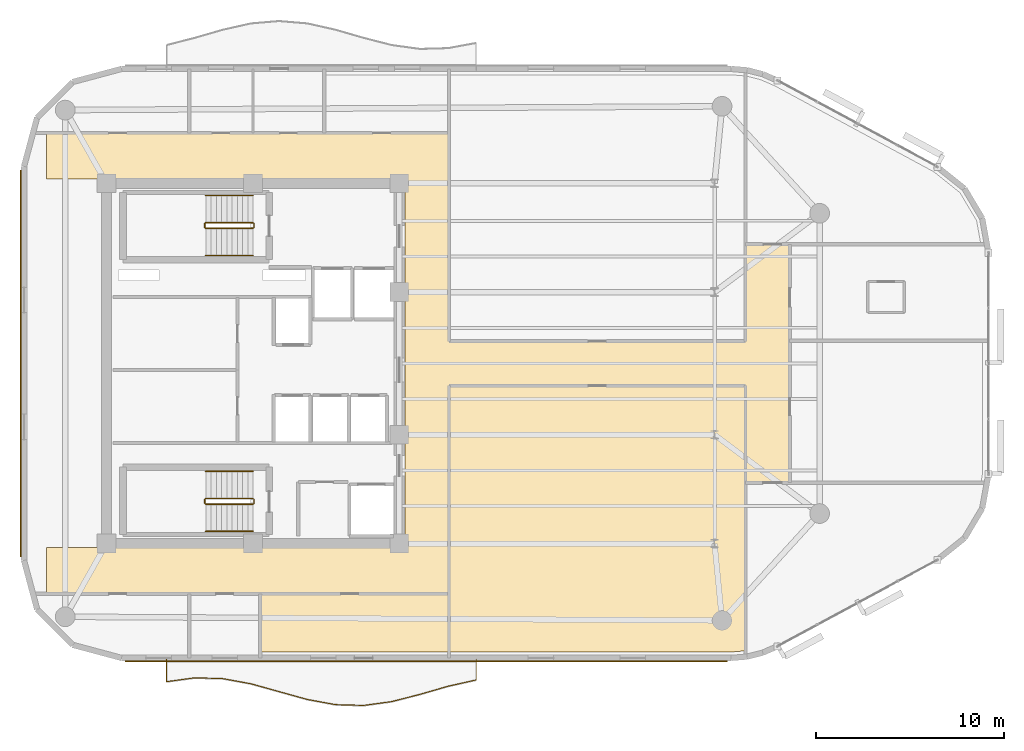
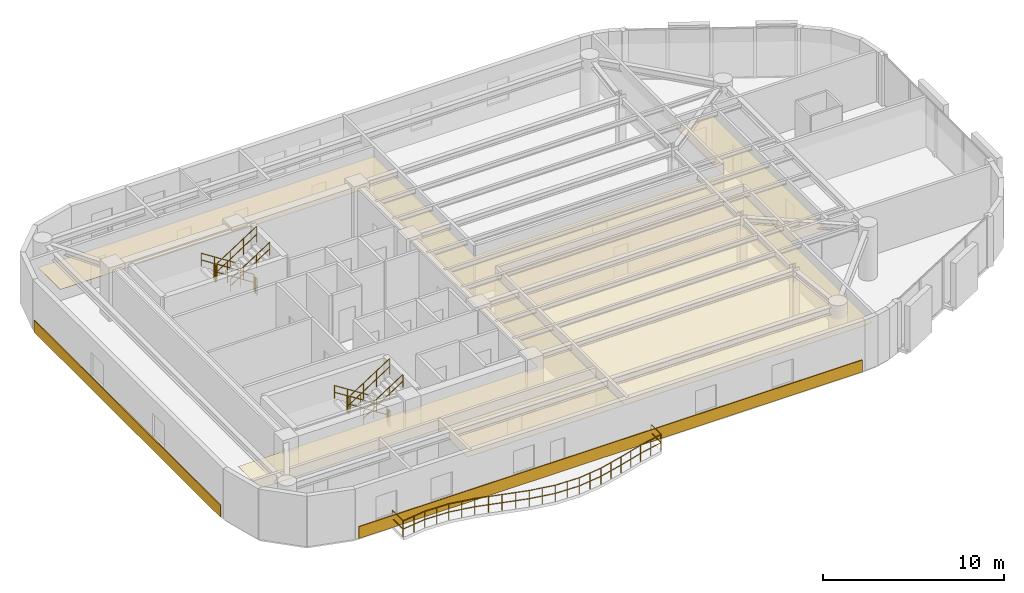
# One storey, part 12 of 13: 13 railings, 5 coverings.
"""IFC4 building model written with IfcOpenShell, lengths in metres."""

from ifc_helpers import new_model, si_unit, direction, frame, origin, origin_2d, place, context, subcontext, project, spatial, polyline, rectangle, circle, outline, extrude, material, layer, layer_set, type_object, element, save


model = new_model("IFC4")

# Units and contexts
model_context = context("Model", 3, precision=1e-05, world=origin(), true_north=direction((0.0, 1.0)))
body_context = subcontext(model_context, "Body", "Model", "MODEL_VIEW")
ifc_project = project(units=[si_unit("LENGTHUNIT", "METRE"), si_unit("AREAUNIT", "SQUARE_METRE"), si_unit("VOLUMEUNIT", "CUBIC_METRE"), si_unit("PLANEANGLEUNIT", "RADIAN"), si_unit("MASSUNIT", "GRAM", prefix="KILO")], contexts=[model_context])

# Site, building, storey
site_placement = place(None, origin())
site = spatial("IfcSite", under=ifc_project, at=site_placement, CompositionType="ELEMENT")
building_placement = place(site_placement, origin())
building = spatial("IfcBuilding", under=site, at=building_placement, Name="An Khanh Terracotta Commons", CompositionType="ELEMENT")
storey_placement = place(building_placement, frame((0.0, 0.0, 226.5)))
storey = spatial("IfcBuildingStorey", under=building, at=storey_placement, Name="L59", CompositionType="ELEMENT", Elevation=226.5)

# Coverings
ifc_material_1 = material(Name="Perforated Mineral-Fibre Acoustic Tile")
ifc_layer_1 = layer(ifc_material_1, 0.02001953125, Name="Perforated Mineral-Fibre Acoustic Tile")
ifc_layer_set_1 = layer_set([ifc_layer_1], Name="Perforated Mineral-Fibre Acoustic Tile")
covering_type_1 = type_object("IfcCoveringType", Name="CEIL-ACOUSTIC-18", PredefinedType="CEILING", material=ifc_layer_set_1)
covering_1_placement = place(storey_placement, frame((0.0, 0.0, 2.64990234375)))
element("IfcCovering", 1, at=covering_1_placement, inside=storey, type_object=covering_type_1, Name="L59 Corridor Ceiling", PredefinedType="CEILING", context=body_context, shape_type="SweptSolid", body=[
    extrude(outline(polyline([(18.39990234375, 11.719970703125), (18.39990234375, 14.179931640625), (37.5, 14.179931640625), (37.5, 33.820068359375), (18.39990234375, 33.820068359375), (18.39990234375, 36.280029296875), (37.5, 36.280029296875), (39.85009765625, 36.280029296875), (39.85009765625, 33.820068359375), (39.85009765625, 25.179931640625), (55.64990234375, 25.179931640625), (55.64990234375, 30.35009765625), (58.0, 30.35009765625), (58.0, 25.179931640625), (58.0, 22.820068359375), (58.0, 17.64990234375), (55.64990234375, 17.64990234375), (55.64990234375, 22.820068359375), (39.85009765625, 22.820068359375), (39.85009765625, 14.179931640625), (39.85009765625, 11.719970703125), (37.5, 11.719970703125), (18.39990234375, 11.719970703125)])), origin(), (0.0, 0.0, 1.0), 0.02001953125),
])
covering_2_placement = place(storey_placement, frame((0.0, 0.0, 2.64990234375)))
element("IfcCovering", 2, at=covering_2_placement, inside=storey, type_object=covering_type_1, Name="L59 Riverfront Reading Hall Ceiling", PredefinedType="CEILING", context=body_context, shape_type="SweptSolid", body=[
    extrude(outline(polyline([(54.8720703125, 8.6201171875), (39.85009765625, 8.6201171875), (39.85009765625, 11.719970703125), (39.85009765625, 14.179931640625), (39.85009765625, 22.820068359375), (55.64990234375, 22.820068359375), (55.64990234375, 17.64990234375), (55.64990234375, 8.68505859375), (54.8720703125, 8.6201171875)])), origin(), (0.0, 0.0, 1.0), 0.02001953125),
])
covering_3_placement = place(storey_placement, frame((0.0, 0.0, 2.64990234375)))
element("IfcCovering", 3, at=covering_3_placement, inside=storey, type_object=covering_type_1, Name="L59 Academic Seminar Room Ceiling", PredefinedType="CEILING", context=body_context, shape_type="SweptSolid", body=[
    extrude(outline(polyline([(29.800048828125, 8.6201171875), (29.800048828125, 8.64990234375), (29.800048828125, 11.719970703125), (37.5, 11.719970703125), (39.85009765625, 11.719970703125), (39.85009765625, 8.6201171875), (29.800048828125, 8.6201171875)])), origin(), (0.0, 0.0, 1.0), 0.02001953125),
])
ifc_material_2 = material(Name="Fired Terracotta Rainscreen Cladding", Category="masonry")
ifc_layer_2 = layer(ifc_material_2, 0.06005859375, Name="Fired Terracotta Rainscreen Cladding")
ifc_layer_set_2 = layer_set([ifc_layer_2], Name="Fired Terracotta Rainscreen Cladding")
covering_type_2 = type_object("IfcCoveringType", Name="COV-SPANDREL-TERRA", PredefinedType="CLADDING", material=ifc_layer_set_2)
covering_4_placement = place(storey_placement, frame((38.64208984375, 8.1201171875, 0.02001953125), z_axis=(0.0, 0.0, 1.0), x_axis=(1.0, 0.0, 0.0)))
element("IfcCovering", 4, at=covering_4_placement, inside=storey, type_object=covering_type_2, Name="L59 Terracotta Spandrel Cladding 4", PredefinedType="CLADDING", context=body_context, shape_type="SweptSolid", body=[
    extrude(rectangle(XDim=32.0849609375, YDim=0.06005859375, at=origin_2d()), origin(), (0.0, 0.0, 1.0), 0.800048828125),
])
covering_5_placement = place(storey_placement, frame((17.02001953125, 24.0, 0.02001953125), z_axis=(0.0, 0.0, 1.0), x_axis=(0.0, -1.0, 0.0)))
element("IfcCovering", 5, at=covering_5_placement, inside=storey, type_object=covering_type_2, Name="L59 Terracotta Spandrel Cladding 24", PredefinedType="CLADDING", context=body_context, shape_type="SweptSolid", body=[
    extrude(rectangle(XDim=20.60009765625, YDim=0.06005859375, at=origin_2d()), origin(), (0.0, 0.0, 1.0), 0.800048828125),
])

# Railings
ifc_material_3 = material(Name="Brushed Stainless Steel 316", Category="steel")
railing_type_1 = type_object("IfcRailingType", Name="RAIL-BALUSTRADE-1100", PredefinedType="BALUSTRADE", material=ifc_material_3)
railing_1_placement = place(storey_placement, frame((24.800048828125, 8.239990234375, 0.0)))
element("IfcRailing", 6, at=railing_1_placement, inside=storey, type_object=railing_type_1, Name="L59 S Wave Balcony Guard Balustrade", PredefinedType="BALUSTRADE", context=body_context, shape_type="SweptSolid", body=[
    extrude(circle(Radius=0.02392578125, at=origin_2d()), frame((0.0, 0.0, 1.076171875), z_axis=(0.0, -1.0, 0.0), x_axis=(1.0, 0.0, 0.0)), (0.0, 0.0, 1.0), 1.199951171875),
    extrude(circle(Radius=0.02392578125, at=origin_2d()), frame((0.0, 0.0, 0.52587890625), z_axis=(0.0, -1.0, 0.0), x_axis=(1.0, 0.0, 0.0)), (0.0, 0.0, 1.0), 1.199951171875),
    extrude(circle(Radius=0.02392578125, at=origin_2d()), frame((0.0, -1.199951171875, 1.076171875), z_axis=(0.990696239711, 0.136091736054, 0.0), x_axis=(-0.136091736054, 0.990696239711, 0.0)), (0.0, 0.0, 1.0), 1.51416015625),
    extrude(circle(Radius=0.02392578125, at=origin_2d()), frame((0.0, -1.199951171875, 0.52587890625), z_axis=(0.990696239711, 0.136091736054, 0.0), x_axis=(-0.136091736054, 0.990696239711, 0.0)), (0.0, 0.0, 1.0), 1.51416015625),
    extrude(circle(Radius=0.02392578125, at=origin_2d()), frame((1.5, -0.993896484375, 1.076171875), z_axis=(0.999585290582, -0.028796646555, 0.0), x_axis=(0.028796646555, 0.999585290582, 0.0)), (0.0, 0.0, 1.0), 1.500732421875),
    extrude(circle(Radius=0.02392578125, at=origin_2d()), frame((1.5, -0.993896484375, 0.52587890625), z_axis=(0.999585290582, -0.028796646555, 0.0), x_axis=(0.028796646555, 0.999585290582, 0.0)), (0.0, 0.0, 1.0), 1.500732421875),
    extrude(circle(Radius=0.02392578125, at=origin_2d()), frame((3.0, -1.037109375, 1.076171875), z_axis=(0.983504185039, -0.180885372574, 0.0), x_axis=(0.180885372574, 0.983504185039, 0.0)), (0.0, 0.0, 1.0), 1.525146484375),
    extrude(circle(Radius=0.02392578125, at=origin_2d()), frame((3.0, -1.037109375, 0.52587890625), z_axis=(0.983504185039, -0.180885372574, 0.0), x_axis=(0.180885372574, 0.983504185039, 0.0)), (0.0, 0.0, 1.0), 1.525146484375),
    extrude(circle(Radius=0.02392578125, at=origin_2d()), frame((4.5, -1.31298828125, 1.076171875), z_axis=(0.963463971294, -0.267837965978, 0.0), x_axis=(0.267837965978, 0.963463971294, 0.0)), (0.0, 0.0, 1.0), 1.556884765625),
    extrude(circle(Radius=0.02392578125, at=origin_2d()), frame((4.5, -1.31298828125, 0.52587890625), z_axis=(0.963463971294, -0.267837965978, 0.0), x_axis=(0.267837965978, 0.963463971294, 0.0)), (0.0, 0.0, 1.0), 1.556884765625),
    extrude(circle(Radius=0.02392578125, at=origin_2d()), frame((6.0, -1.72998046875, 1.076171875), z_axis=(0.963463971294, -0.267837965978, 0.0), x_axis=(0.267837965978, 0.963463971294, 0.0)), (0.0, 0.0, 1.0), 1.556884765625),
    extrude(circle(Radius=0.02392578125, at=origin_2d()), frame((6.0, -1.72998046875, 0.52587890625), z_axis=(0.963463971294, -0.267837965978, 0.0), x_axis=(0.267837965978, 0.963463971294, 0.0)), (0.0, 0.0, 1.0), 1.556884765625),
    extrude(circle(Radius=0.02392578125, at=origin_2d()), frame((7.5, -2.14697265625, 1.076171875), z_axis=(0.983475695992, -0.181040203803, 0.0), x_axis=(0.181040203803, 0.983475695992, 0.0)), (0.0, 0.0, 1.0), 1.525146484375),
    extrude(circle(Radius=0.02392578125, at=origin_2d()), frame((7.5, -2.14697265625, 0.52587890625), z_axis=(0.983475695992, -0.181040203803, 0.0), x_axis=(0.181040203803, 0.983475695992, 0.0)), (0.0, 0.0, 1.0), 1.525146484375),
    extrude(circle(Radius=0.02392578125, at=origin_2d()), frame((9.0, -2.423095703125, 1.076171875), z_axis=(0.999589960453, -0.028634087409, 0.0), x_axis=(0.028634087409, 0.999589960453, 0.0)), (0.0, 0.0, 1.0), 1.500732421875),
    extrude(circle(Radius=0.02392578125, at=origin_2d()), frame((9.0, -2.423095703125, 0.52587890625), z_axis=(0.999589960453, -0.028634087409, 0.0), x_axis=(0.028634087409, 0.999589960453, 0.0)), (0.0, 0.0, 1.0), 1.500732421875),
    extrude(circle(Radius=0.02392578125, at=origin_2d()), frame((10.5, -2.466064453125, 1.076171875), z_axis=(0.990696239711, 0.136091736054, 0.0), x_axis=(-0.136091736054, 0.990696239711, 0.0)), (0.0, 0.0, 1.0), 1.51416015625),
    extrude(circle(Radius=0.02392578125, at=origin_2d()), frame((10.5, -2.466064453125, 0.52587890625), z_axis=(0.990696239711, 0.136091736054, 0.0), x_axis=(-0.136091736054, 0.990696239711, 0.0)), (0.0, 0.0, 1.0), 1.51416015625),
    extrude(circle(Radius=0.02392578125, at=origin_2d()), frame((12.0, -2.260009765625, 1.076171875), z_axis=(0.968754262999, 0.248022535107, 0.0), x_axis=(-0.248022535107, 0.968754262999, 0.0)), (0.0, 0.0, 1.0), 1.54833984375),
    extrude(circle(Radius=0.02392578125, at=origin_2d()), frame((12.0, -2.260009765625, 0.52587890625), z_axis=(0.968754262999, 0.248022535107, 0.0), x_axis=(-0.248022535107, 0.968754262999, 0.0)), (0.0, 0.0, 1.0), 1.54833984375),
    extrude(circle(Radius=0.02392578125, at=origin_2d()), frame((13.5, -1.8759765625, 1.076171875), z_axis=(0.960753088359, 0.277404944458, 0.0), x_axis=(-0.277404944458, 0.960753088359, 0.0)), (0.0, 0.0, 1.0), 1.561279296875),
    extrude(circle(Radius=0.02392578125, at=origin_2d()), frame((13.5, -1.8759765625, 0.52587890625), z_axis=(0.960753088359, 0.277404944458, 0.0), x_axis=(-0.277404944458, 0.960753088359, 0.0)), (0.0, 0.0, 1.0), 1.561279296875),
    extrude(circle(Radius=0.02392578125, at=origin_2d()), frame((15.0, -1.44287109375, 1.076171875), z_axis=(0.975691310659, 0.21914941548, 0.0), x_axis=(-0.21914941548, 0.975691310659, 0.0)), (0.0, 0.0, 1.0), 1.537353515625),
    extrude(circle(Radius=0.02392578125, at=origin_2d()), frame((15.0, -1.44287109375, 0.52587890625), z_axis=(0.975691310659, 0.21914941548, 0.0), x_axis=(-0.21914941548, 0.975691310659, 0.0)), (0.0, 0.0, 1.0), 1.537353515625),
    extrude(circle(Radius=0.02392578125, at=origin_2d()), frame((16.5, -1.10595703125, 1.076171875), z_axis=(0.0, 1.0, 0.0), x_axis=(-1.0, 0.0, 0.0)), (0.0, 0.0, 1.0), 1.10595703125),
    extrude(circle(Radius=0.02392578125, at=origin_2d()), frame((16.5, -1.10595703125, 0.52587890625), z_axis=(0.0, 1.0, 0.0), x_axis=(-1.0, 0.0, 0.0)), (0.0, 0.0, 1.0), 1.10595703125),
    extrude(circle(Radius=0.02099609375, at=origin_2d()), origin(), (0.0, 0.0, 1.0), 1.052001953125),
    extrude(circle(Radius=0.02099609375, at=origin_2d()), frame((0.0, -1.199951171875, 0.0)), (0.0, 0.0, 1.0), 1.052001953125),
    extrude(circle(Radius=0.02099609375, at=origin_2d()), frame((0.75, -1.096923828125, 0.0)), (0.0, 0.0, 1.0), 1.052001953125),
    extrude(circle(Radius=0.02099609375, at=origin_2d()), frame((1.5, -0.993896484375, 0.0)), (0.0, 0.0, 1.0), 1.052001953125),
    extrude(circle(Radius=0.02099609375, at=origin_2d()), frame((2.25, -1.015625, 0.0)), (0.0, 0.0, 1.0), 1.052001953125),
    extrude(circle(Radius=0.02099609375, at=origin_2d()), frame((3.0, -1.037109375, 0.0)), (0.0, 0.0, 1.0), 1.052001953125),
    extrude(circle(Radius=0.02099609375, at=origin_2d()), frame((3.75, -1.175048828125, 0.0)), (0.0, 0.0, 1.0), 1.052001953125),
    extrude(circle(Radius=0.02099609375, at=origin_2d()), frame((4.5, -1.31298828125, 0.0)), (0.0, 0.0, 1.0), 1.052001953125),
    extrude(circle(Radius=0.02099609375, at=origin_2d()), frame((5.25, -1.521484375, 0.0)), (0.0, 0.0, 1.0), 1.052001953125),
    extrude(circle(Radius=0.02099609375, at=origin_2d()), frame((6.0, -1.72998046875, 0.0)), (0.0, 0.0, 1.0), 1.052001953125),
    extrude(circle(Radius=0.02099609375, at=origin_2d()), frame((6.75, -1.9384765625, 0.0)), (0.0, 0.0, 1.0), 1.052001953125),
    extrude(circle(Radius=0.02099609375, at=origin_2d()), frame((7.5, -2.14697265625, 0.0)), (0.0, 0.0, 1.0), 1.052001953125),
    extrude(circle(Radius=0.02099609375, at=origin_2d()), frame((8.25, -2.28515625, 0.0)), (0.0, 0.0, 1.0), 1.052001953125),
    extrude(circle(Radius=0.02099609375, at=origin_2d()), frame((9.0, -2.423095703125, 0.0)), (0.0, 0.0, 1.0), 1.052001953125),
    extrude(circle(Radius=0.02099609375, at=origin_2d()), frame((9.75, -2.444580078125, 0.0)), (0.0, 0.0, 1.0), 1.052001953125),
    extrude(circle(Radius=0.02099609375, at=origin_2d()), frame((10.5, -2.466064453125, 0.0)), (0.0, 0.0, 1.0), 1.052001953125),
    extrude(circle(Radius=0.02099609375, at=origin_2d()), frame((11.25, -2.363037109375, 0.0)), (0.0, 0.0, 1.0), 1.052001953125),
    extrude(circle(Radius=0.02099609375, at=origin_2d()), frame((12.0, -2.260009765625, 0.0)), (0.0, 0.0, 1.0), 1.052001953125),
    extrude(circle(Radius=0.02099609375, at=origin_2d()), frame((12.75, -2.06787109375, 0.0)), (0.0, 0.0, 1.0), 1.052001953125),
    extrude(circle(Radius=0.02099609375, at=origin_2d()), frame((13.5, -1.8759765625, 0.0)), (0.0, 0.0, 1.0), 1.052001953125),
    extrude(circle(Radius=0.02099609375, at=origin_2d()), frame((14.25, -1.659423828125, 0.0)), (0.0, 0.0, 1.0), 1.052001953125),
    extrude(circle(Radius=0.02099609375, at=origin_2d()), frame((15.0, -1.44287109375, 0.0)), (0.0, 0.0, 1.0), 1.052001953125),
    extrude(circle(Radius=0.02099609375, at=origin_2d()), frame((15.75, -1.2744140625, 0.0)), (0.0, 0.0, 1.0), 1.052001953125),
    extrude(circle(Radius=0.02099609375, at=origin_2d()), frame((16.5, -1.10595703125, 0.0)), (0.0, 0.0, 1.0), 1.052001953125),
    extrude(circle(Radius=0.02099609375, at=origin_2d()), frame((16.5, 0.0, 0.0)), (0.0, 0.0, 1.0), 1.052001953125),
])
railing_type_2 = type_object("IfcRailingType", Name="RAIL-HANDRAIL-900", PredefinedType="HANDRAIL", material=ifc_material_3)
railing_2_placement = place(storey_placement, frame((29.409912109375, 32.949951171875, 0.179931640625)))
element("IfcRailing", 7, at=railing_2_placement, inside=storey, type_object=railing_type_2, Name="L59 ST-01 stair handrail 1", PredefinedType="HANDRAIL", context=body_context, shape_type="SweptSolid", body=[
    extrude(circle(Radius=0.02392578125, at=origin_2d()), frame((0.0, 0.0, 0.8759765625), z_axis=(-0.841162588446, 0.0, 0.540782303519), x_axis=(0.0, -1.0, 0.0)), (0.0, 0.0, 1.0), 2.995849609375),
    extrude(circle(Radius=0.02392578125, at=origin_2d()), frame((0.0, 0.0, 0.42578125), z_axis=(-0.841162588446, 0.0, 0.540782303519), x_axis=(0.0, -1.0, 0.0)), (0.0, 0.0, 1.0), 2.995849609375),
    extrude(circle(Radius=0.02099609375, at=origin_2d()), origin(), (0.0, 0.0, 1.0), 0.851806640625),
    extrude(circle(Radius=0.02099609375, at=origin_2d()), frame((-0.840087890625, 0.0, 0.5400390625)), (0.0, 0.0, 1.0), 0.851806640625),
    extrude(circle(Radius=0.02099609375, at=origin_2d()), frame((-1.679931640625, 0.0, 1.080078125)), (0.0, 0.0, 1.0), 0.851806640625),
    extrude(circle(Radius=0.02099609375, at=origin_2d()), frame((-2.52001953125, 0.0, 1.6201171875)), (0.0, 0.0, 1.0), 0.851806640625),
])
railing_3_placement = place(storey_placement, frame((26.889892578125, 29.75, 1.97998046875)))
element("IfcRailing", 8, at=railing_3_placement, inside=storey, type_object=railing_type_2, Name="L59 ST-01 stair handrail 2", PredefinedType="HANDRAIL", context=body_context, shape_type="SweptSolid", body=[
    extrude(circle(Radius=0.02392578125, at=origin_2d()), frame((0.0, 0.0, 0.8759765625), z_axis=(0.841162588446, 0.0, 0.540782303519), x_axis=(0.0, 1.0, 0.0)), (0.0, 0.0, 1.0), 2.995849609375),
    extrude(circle(Radius=0.02392578125, at=origin_2d()), frame((0.0, 0.0, 0.42578125), z_axis=(0.841162588446, 0.0, 0.540782303519), x_axis=(0.0, 1.0, 0.0)), (0.0, 0.0, 1.0), 2.995849609375),
    extrude(circle(Radius=0.02099609375, at=origin_2d()), origin(), (0.0, 0.0, 1.0), 0.851806640625),
    extrude(circle(Radius=0.02099609375, at=origin_2d()), frame((0.840087890625, 0.0, 0.5400390625)), (0.0, 0.0, 1.0), 0.851806640625),
    extrude(circle(Radius=0.02099609375, at=origin_2d()), frame((1.679931640625, 0.0, 1.080078125)), (0.0, 0.0, 1.0), 0.851806640625),
    extrude(circle(Radius=0.02099609375, at=origin_2d()), frame((2.52001953125, 0.0, 1.6201171875)), (0.0, 0.0, 1.0), 0.851806640625),
])
railing_4_placement = place(storey_placement, frame((29.409912109375, 18.25, 0.179931640625)))
element("IfcRailing", 9, at=railing_4_placement, inside=storey, type_object=railing_type_2, Name="L59 ST-02 stair handrail 1", PredefinedType="HANDRAIL", context=body_context, shape_type="SweptSolid", body=[
    extrude(circle(Radius=0.02392578125, at=origin_2d()), frame((0.0, 0.0, 0.8759765625), z_axis=(-0.841162588446, 0.0, 0.540782303519), x_axis=(0.0, -1.0, 0.0)), (0.0, 0.0, 1.0), 2.995849609375),
    extrude(circle(Radius=0.02392578125, at=origin_2d()), frame((0.0, 0.0, 0.42578125), z_axis=(-0.841162588446, 0.0, 0.540782303519), x_axis=(0.0, -1.0, 0.0)), (0.0, 0.0, 1.0), 2.995849609375),
    extrude(circle(Radius=0.02099609375, at=origin_2d()), origin(), (0.0, 0.0, 1.0), 0.851806640625),
    extrude(circle(Radius=0.02099609375, at=origin_2d()), frame((-0.840087890625, 0.0, 0.5400390625)), (0.0, 0.0, 1.0), 0.851806640625),
    extrude(circle(Radius=0.02099609375, at=origin_2d()), frame((-1.679931640625, 0.0, 1.080078125)), (0.0, 0.0, 1.0), 0.851806640625),
    extrude(circle(Radius=0.02099609375, at=origin_2d()), frame((-2.52001953125, 0.0, 1.6201171875)), (0.0, 0.0, 1.0), 0.851806640625),
])
railing_5_placement = place(storey_placement, frame((26.889892578125, 15.050048828125, 1.97998046875)))
element("IfcRailing", 10, at=railing_5_placement, inside=storey, type_object=railing_type_2, Name="L59 ST-02 stair handrail 2", PredefinedType="HANDRAIL", context=body_context, shape_type="SweptSolid", body=[
    extrude(circle(Radius=0.02392578125, at=origin_2d()), frame((0.0, 0.0, 0.8759765625), z_axis=(0.841162588446, 0.0, 0.540782303519), x_axis=(0.0, 1.0, 0.0)), (0.0, 0.0, 1.0), 2.995849609375),
    extrude(circle(Radius=0.02392578125, at=origin_2d()), frame((0.0, 0.0, 0.42578125), z_axis=(0.841162588446, 0.0, 0.540782303519), x_axis=(0.0, 1.0, 0.0)), (0.0, 0.0, 1.0), 2.995849609375),
    extrude(circle(Radius=0.02099609375, at=origin_2d()), origin(), (0.0, 0.0, 1.0), 0.851806640625),
    extrude(circle(Radius=0.02099609375, at=origin_2d()), frame((0.840087890625, 0.0, 0.5400390625)), (0.0, 0.0, 1.0), 0.851806640625),
    extrude(circle(Radius=0.02099609375, at=origin_2d()), frame((1.679931640625, 0.0, 1.080078125)), (0.0, 0.0, 1.0), 0.851806640625),
    extrude(circle(Radius=0.02099609375, at=origin_2d()), frame((2.52001953125, 0.0, 1.6201171875)), (0.0, 0.0, 1.0), 0.851806640625),
])
ifc_material_4 = material(Name="Powder-Coated Steel S355J2", Category="steel")
railing_type_3 = type_object("IfcRailingType", Name="RAIL-STAIR-GUARD-1100", PredefinedType="BALUSTRADE", material=ifc_material_4)
railing_6_placement = place(storey_placement, frame((29.409912109375, 31.5, 0.179931640625)))
element("IfcRailing", 11, at=railing_6_placement, inside=storey, type_object=railing_type_3, Name="L59 ST-01 stair guard 1", PredefinedType="BALUSTRADE", context=body_context, shape_type="SweptSolid", body=[
    extrude(circle(Radius=0.02392578125, at=origin_2d()), frame((0.0, 0.0, 1.076171875), z_axis=(-0.841162588446, 0.0, 0.540782303519), x_axis=(0.0, -1.0, 0.0)), (0.0, 0.0, 1.0), 2.995849609375),
    extrude(circle(Radius=0.02392578125, at=origin_2d()), frame((0.0, 0.0, 0.52587890625), z_axis=(-0.841162588446, 0.0, 0.540782303519), x_axis=(0.0, -1.0, 0.0)), (0.0, 0.0, 1.0), 2.995849609375),
    extrude(circle(Radius=0.02099609375, at=origin_2d()), origin(), (0.0, 0.0, 1.0), 1.052001953125),
    extrude(circle(Radius=0.02099609375, at=origin_2d()), frame((-0.840087890625, 0.0, 0.5400390625)), (0.0, 0.0, 1.0), 1.052001953125),
    extrude(circle(Radius=0.02099609375, at=origin_2d()), frame((-1.679931640625, 0.0, 1.080078125)), (0.0, 0.0, 1.0), 1.052001953125),
    extrude(circle(Radius=0.02099609375, at=origin_2d()), frame((-2.52001953125, 0.0, 1.6201171875)), (0.0, 0.0, 1.0), 1.052001953125),
])
railing_7_placement = place(storey_placement, frame((26.840087890625, 31.449951171875, 1.800048828125)))
element("IfcRailing", 12, at=railing_7_placement, inside=storey, type_object=railing_type_3, Name="L59 ST-01 stair guard 2", PredefinedType="BALUSTRADE", context=body_context, shape_type="SweptSolid", body=[
    extrude(circle(Radius=0.02392578125, at=origin_2d()), frame((0.0, 0.0, 1.076171875), z_axis=(0.0, -1.0, 0.0), x_axis=(1.0, 0.0, 0.0)), (0.0, 0.0, 1.0), 0.199951171875),
    extrude(circle(Radius=0.02392578125, at=origin_2d()), frame((0.0, 0.0, 0.52587890625), z_axis=(0.0, -1.0, 0.0), x_axis=(1.0, 0.0, 0.0)), (0.0, 0.0, 1.0), 0.199951171875),
    extrude(circle(Radius=0.02099609375, at=origin_2d()), origin(), (0.0, 0.0, 1.0), 1.052001953125),
    extrude(circle(Radius=0.02099609375, at=origin_2d()), frame((0.0, -0.199951171875, 0.0)), (0.0, 0.0, 1.0), 1.052001953125),
])
railing_8_placement = place(storey_placement, frame((26.889892578125, 31.199951171875, 1.97998046875)))
element("IfcRailing", 13, at=railing_8_placement, inside=storey, type_object=railing_type_3, Name="L59 ST-01 stair guard 3", PredefinedType="BALUSTRADE", context=body_context, shape_type="SweptSolid", body=[
    extrude(circle(Radius=0.02392578125, at=origin_2d()), frame((0.0, 0.0, 1.076171875), z_axis=(0.841162588446, 0.0, 0.540782303519), x_axis=(0.0, 1.0, 0.0)), (0.0, 0.0, 1.0), 2.995849609375),
    extrude(circle(Radius=0.02392578125, at=origin_2d()), frame((0.0, 0.0, 0.52587890625), z_axis=(0.841162588446, 0.0, 0.540782303519), x_axis=(0.0, 1.0, 0.0)), (0.0, 0.0, 1.0), 2.995849609375),
    extrude(circle(Radius=0.02099609375, at=origin_2d()), origin(), (0.0, 0.0, 1.0), 1.052001953125),
    extrude(circle(Radius=0.02099609375, at=origin_2d()), frame((0.840087890625, 0.0, 0.5400390625)), (0.0, 0.0, 1.0), 1.052001953125),
    extrude(circle(Radius=0.02099609375, at=origin_2d()), frame((1.679931640625, 0.0, 1.080078125)), (0.0, 0.0, 1.0), 1.052001953125),
    extrude(circle(Radius=0.02099609375, at=origin_2d()), frame((2.52001953125, 0.0, 1.6201171875)), (0.0, 0.0, 1.0), 1.052001953125),
])
railing_9_placement = place(storey_placement, frame((29.4599609375, 31.449951171875, 0.0)))
element("IfcRailing", 14, at=railing_9_placement, inside=storey, type_object=railing_type_3, Name="L59 ST-01 stair guard 4", PredefinedType="BALUSTRADE", context=body_context, shape_type="SweptSolid", body=[
    extrude(circle(Radius=0.02392578125, at=origin_2d()), frame((0.0, 0.0, 1.076171875), z_axis=(0.0, -1.0, 0.0), x_axis=(1.0, 0.0, 0.0)), (0.0, 0.0, 1.0), 0.199951171875),
    extrude(circle(Radius=0.02392578125, at=origin_2d()), frame((0.0, 0.0, 0.52587890625), z_axis=(0.0, -1.0, 0.0), x_axis=(1.0, 0.0, 0.0)), (0.0, 0.0, 1.0), 0.199951171875),
    extrude(circle(Radius=0.02099609375, at=origin_2d()), origin(), (0.0, 0.0, 1.0), 1.052001953125),
    extrude(circle(Radius=0.02099609375, at=origin_2d()), frame((0.0, -0.199951171875, 0.0)), (0.0, 0.0, 1.0), 1.052001953125),
])
railing_10_placement = place(storey_placement, frame((29.409912109375, 16.800048828125, 0.179931640625)))
element("IfcRailing", 15, at=railing_10_placement, inside=storey, type_object=railing_type_3, Name="L59 ST-02 stair guard 1", PredefinedType="BALUSTRADE", context=body_context, shape_type="SweptSolid", body=[
    extrude(circle(Radius=0.02392578125, at=origin_2d()), frame((0.0, 0.0, 1.076171875), z_axis=(-0.841162588446, 0.0, 0.540782303519), x_axis=(0.0, -1.0, 0.0)), (0.0, 0.0, 1.0), 2.995849609375),
    extrude(circle(Radius=0.02392578125, at=origin_2d()), frame((0.0, 0.0, 0.52587890625), z_axis=(-0.841162588446, 0.0, 0.540782303519), x_axis=(0.0, -1.0, 0.0)), (0.0, 0.0, 1.0), 2.995849609375),
    extrude(circle(Radius=0.02099609375, at=origin_2d()), origin(), (0.0, 0.0, 1.0), 1.052001953125),
    extrude(circle(Radius=0.02099609375, at=origin_2d()), frame((-0.840087890625, 0.0, 0.5400390625)), (0.0, 0.0, 1.0), 1.052001953125),
    extrude(circle(Radius=0.02099609375, at=origin_2d()), frame((-1.679931640625, 0.0, 1.080078125)), (0.0, 0.0, 1.0), 1.052001953125),
    extrude(circle(Radius=0.02099609375, at=origin_2d()), frame((-2.52001953125, 0.0, 1.6201171875)), (0.0, 0.0, 1.0), 1.052001953125),
])
railing_11_placement = place(storey_placement, frame((26.840087890625, 16.75, 1.800048828125)))
element("IfcRailing", 16, at=railing_11_placement, inside=storey, type_object=railing_type_3, Name="L59 ST-02 stair guard 2", PredefinedType="BALUSTRADE", context=body_context, shape_type="SweptSolid", body=[
    extrude(circle(Radius=0.02392578125, at=origin_2d()), frame((0.0, 0.0, 1.076171875), z_axis=(0.0, -1.0, 0.0), x_axis=(1.0, 0.0, 0.0)), (0.0, 0.0, 1.0), 0.199951171875),
    extrude(circle(Radius=0.02392578125, at=origin_2d()), frame((0.0, 0.0, 0.52587890625), z_axis=(0.0, -1.0, 0.0), x_axis=(1.0, 0.0, 0.0)), (0.0, 0.0, 1.0), 0.199951171875),
    extrude(circle(Radius=0.02099609375, at=origin_2d()), origin(), (0.0, 0.0, 1.0), 1.052001953125),
    extrude(circle(Radius=0.02099609375, at=origin_2d()), frame((0.0, -0.199951171875, 0.0)), (0.0, 0.0, 1.0), 1.052001953125),
])
railing_12_placement = place(storey_placement, frame((26.889892578125, 16.5, 1.97998046875)))
element("IfcRailing", 17, at=railing_12_placement, inside=storey, type_object=railing_type_3, Name="L59 ST-02 stair guard 3", PredefinedType="BALUSTRADE", context=body_context, shape_type="SweptSolid", body=[
    extrude(circle(Radius=0.02392578125, at=origin_2d()), frame((0.0, 0.0, 1.076171875), z_axis=(0.841162588446, 0.0, 0.540782303519), x_axis=(0.0, 1.0, 0.0)), (0.0, 0.0, 1.0), 2.995849609375),
    extrude(circle(Radius=0.02392578125, at=origin_2d()), frame((0.0, 0.0, 0.52587890625), z_axis=(0.841162588446, 0.0, 0.540782303519), x_axis=(0.0, 1.0, 0.0)), (0.0, 0.0, 1.0), 2.995849609375),
    extrude(circle(Radius=0.02099609375, at=origin_2d()), origin(), (0.0, 0.0, 1.0), 1.052001953125),
    extrude(circle(Radius=0.02099609375, at=origin_2d()), frame((0.840087890625, 0.0, 0.5400390625)), (0.0, 0.0, 1.0), 1.052001953125),
    extrude(circle(Radius=0.02099609375, at=origin_2d()), frame((1.679931640625, 0.0, 1.080078125)), (0.0, 0.0, 1.0), 1.052001953125),
    extrude(circle(Radius=0.02099609375, at=origin_2d()), frame((2.52001953125, 0.0, 1.6201171875)), (0.0, 0.0, 1.0), 1.052001953125),
])
railing_13_placement = place(storey_placement, frame((29.4599609375, 16.75, 0.0)))
element("IfcRailing", 18, at=railing_13_placement, inside=storey, type_object=railing_type_3, Name="L59 ST-02 stair guard 4", PredefinedType="BALUSTRADE", context=body_context, shape_type="SweptSolid", body=[
    extrude(circle(Radius=0.02392578125, at=origin_2d()), frame((0.0, 0.0, 1.076171875), z_axis=(0.0, -1.0, 0.0), x_axis=(1.0, 0.0, 0.0)), (0.0, 0.0, 1.0), 0.199951171875),
    extrude(circle(Radius=0.02392578125, at=origin_2d()), frame((0.0, 0.0, 0.52587890625), z_axis=(0.0, -1.0, 0.0), x_axis=(1.0, 0.0, 0.0)), (0.0, 0.0, 1.0), 0.199951171875),
    extrude(circle(Radius=0.02099609375, at=origin_2d()), origin(), (0.0, 0.0, 1.0), 1.052001953125),
    extrude(circle(Radius=0.02099609375, at=origin_2d()), frame((0.0, -0.199951171875, 0.0)), (0.0, 0.0, 1.0), 1.052001953125),
])

save(model, "model.ifc")
